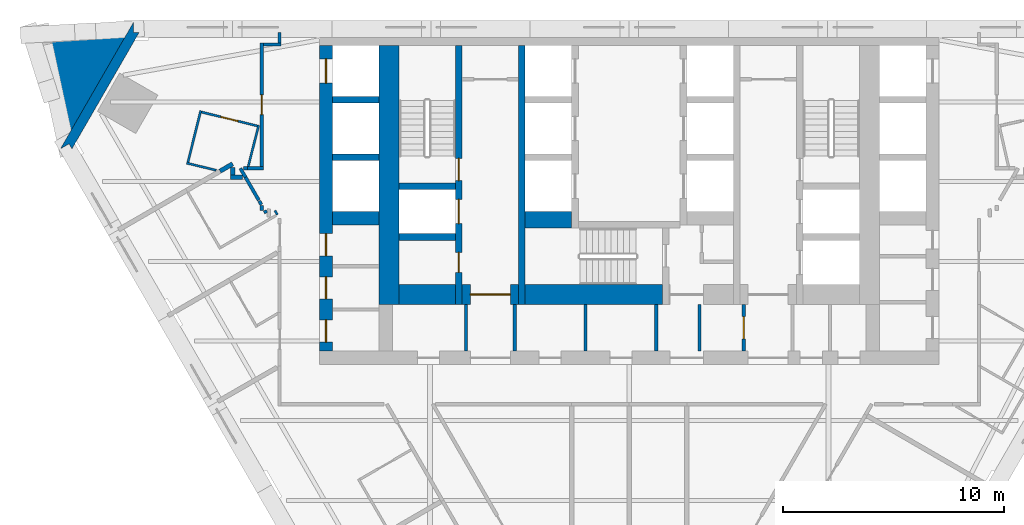
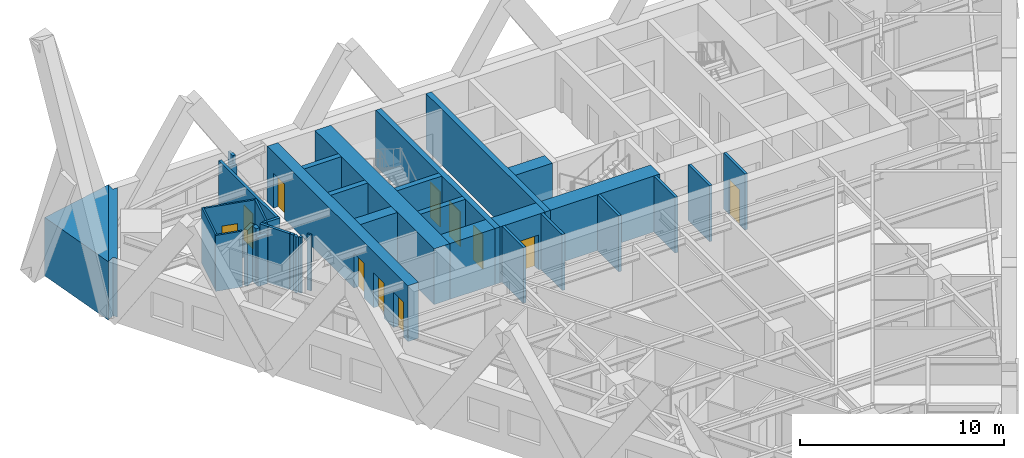
# One storey, part 6 of 11: 39 walls, 11 doors, 11 openings.
"""IFC4 building model written with IfcOpenShell, lengths in metres."""

from ifc_helpers import new_model, si_unit, direction, frame, frame_2d, origin, place, context, subcontext, project, spatial, polyline, rectangle, outline, extrude, material, layer, layer_set, type_object, element, fill, save


model = new_model("IFC4")

# Units and contexts
model_context = context("Model", 3, precision=1e-05, world=origin(), true_north=direction((0.0, 1.0)))
body_context = subcontext(model_context, "Body", "Model", "MODEL_VIEW")
ifc_project = project(units=[si_unit("LENGTHUNIT", "METRE"), si_unit("AREAUNIT", "SQUARE_METRE"), si_unit("VOLUMEUNIT", "CUBIC_METRE"), si_unit("PLANEANGLEUNIT", "RADIAN"), si_unit("MASSUNIT", "GRAM", prefix="KILO")], contexts=[model_context])

# Site, building, storey
site_placement = place(None, origin())
site = spatial("IfcSite", under=ifc_project, at=site_placement, CompositionType="ELEMENT")
building_placement = place(site_placement, origin())
building = spatial("IfcBuilding", under=site, at=building_placement, Name="Aloe Facet Convention Tower", CompositionType="ELEMENT")
storey_placement = place(building_placement, frame((0.0, 0.0, 63.0)))
storey = spatial("IfcBuildingStorey", under=building, at=storey_placement, Name="L14", CompositionType="ELEMENT", Elevation=63.0)

# Walls
ifc_material_1 = material(Name="Concrete blockwork partition", Category="masonry")
ifc_layer_1 = layer(ifc_material_1, 0.14990234375)
ifc_layer_set_1 = layer_set([ifc_layer_1], Name="CR-W-PART150")
wall_type_1 = type_object("IfcWallType", Name="CR-W-PART150", PredefinedType="PARTITIONING", material=ifc_layer_set_1)
for number, where, z_axis, x_axis, name in (
    (1, (72.625, 122.25, 0.0), (0.0, 0.0, 1.0), (0.0, -1.0, 0.0), "Core partition L14-017"),
    (2, (74.824951171875, 122.25, 0.0), (0.0, 0.0, 1.0), (0.0, -1.0, 0.0), "Core partition L14-018"),
    (3, (78.02490234375, 122.25, 0.0), (0.0, 0.0, 1.0), (0.0, -1.0, 0.0), "Core partition L14-026"),
    (4, (81.22509765625, 122.25, 0.0), (0.0, 0.0, 1.0), (0.0, -1.0, 0.0), "Core partition L14-027"),
    (5, (83.175048828125, 122.25, 0.0), (0.0, 0.0, 1.0), (0.0, -1.0, 0.0), "Core partition L14-034"),
):
    element("IfcWall", number, at=place(storey_placement, frame(where, z_axis=z_axis, x_axis=x_axis)), inside=storey, type_object=wall_type_1, Name=name, PredefinedType="PARTITIONING", context=body_context, shape_type="SweptSolid", body=[
        extrude(rectangle(XDim=2.10009765625, YDim=0.14990234375, at=frame_2d((1.050048828125, 0.0))), origin(), (0.0, 0.0, 1.0), 3.35009765625),
    ])

# Wall, opening, door
wall_1_placement = place(storey_placement, frame((85.175048828125, 122.25, 0.0), z_axis=(0.0, 0.0, 1.0), x_axis=(0.0, -1.0, 0.0)))
wall_1 = element("IfcWall", 6, at=wall_1_placement, inside=storey, type_object=wall_type_1, Name="Core partition L14-040", PredefinedType="PARTITIONING", context=body_context, shape_type="SweptSolid", body=[
    extrude(rectangle(XDim=2.10009765625, YDim=0.14990234375, at=frame_2d((1.050048828125, 0.0))), origin(), (0.0, 0.0, 1.0), 3.35009765625),
])
opening_1_placement = place(wall_1_placement, frame((0.550048828125, 0.0, 0.0)))
opening_1 = element("IfcOpeningElement", 7, at=opening_1_placement, cuts=wall_1, Name="Opening L14-CD27", PredefinedType="OPENING", context=body_context, shape_type="SweptSolid", body=[
    extrude(rectangle(XDim=1.0, YDim=2.10009765625, at=frame_2d((0.5, 1.050048828125))), frame((0.0, 0.0849609375, 0.0), z_axis=(0.0, -1.0, 0.0), x_axis=(1.0, 0.0, 0.0)), (0.0, 0.0, 1.0), 0.169921875),
])
ifc_material_2 = material(Name="Steel fire-resisting door set FD60", Category="steel")
door_type_1 = type_object("IfcDoorType", Name="CR-D-ROOM-1000-FD60-SRIGHT", OperationType="SINGLE_SWING_RIGHT", PredefinedType="DOOR", material=ifc_material_2)
door_1_placement = place(opening_1_placement, origin())
door_1 = element("IfcDoor", 8, at=door_1_placement, inside=storey, type_object=door_type_1, Name="Core door L14-CD27", OperationType="SINGLE_SWING_RIGHT", OverallHeight=2.10009765625, OverallWidth=1.0, PredefinedType="DOOR", context=body_context, shape_type="SweptSolid", body=[
    extrude(rectangle(XDim=1.0, YDim=2.10009765625, at=frame_2d((0.5, 1.050048828125))), frame((0.0, 0.02490234375, 0.0), z_axis=(0.0, -1.0, 0.0), x_axis=(1.0, 0.0, 0.0)), (0.0, 0.0, 1.0), 0.050048828125),
])
fill(opening_1, door_1)

# Walls
ifc_material_3 = material(Name="Concrete C80/95", Category="concrete")
ifc_layer_2 = layer(ifc_material_3, 0.300048828125)
ifc_layer_set_2 = layer_set([ifc_layer_2], Name="CR-W-RC300-C8095")
wall_type_2 = type_object("IfcWallType", Name="CR-W-RC300-C8095", PredefinedType="SOLIDWALL", material=ifc_layer_set_2)
for number, where, z_axis, x_axis, name in (
    (9, (66.60009765625, 131.5, 0.0), (0.0, 0.0, 1.0), (1.0, 0.0, 0.0), "Core wall L14-004"),
    (10, (66.60009765625, 128.89990234375, 0.0), (0.0, 0.0, 1.0), (1.0, 0.0, 0.0), "Core wall L14-005"),
):
    element("IfcWall", number, at=place(storey_placement, frame(where, z_axis=z_axis, x_axis=x_axis)), inside=storey, type_object=wall_type_2, Name=name, PredefinedType="SOLIDWALL", context=body_context, shape_type="SweptSolid", body=[
        extrude(rectangle(XDim=2.099853515625, YDim=0.300048828125, at=frame_2d((1.0498046875, 0.0))), origin(), (0.0, 0.0, 1.0), 3.35009765625),
    ])
for number, where, z_axis, x_axis, name in (
    (11, (69.60009765625, 127.60009765625, 0.0), (0.0, 0.0, 1.0), (1.0, 0.0, 0.0), "Core wall L14-011"),
    (12, (69.60009765625, 125.300048828125, 0.0), (0.0, 0.0, 1.0), (1.0, 0.0, 0.0), "Core wall L14-012"),
):
    element("IfcWall", number, at=place(storey_placement, frame(where, z_axis=z_axis, x_axis=x_axis)), inside=storey, type_object=wall_type_2, Name=name, PredefinedType="SOLIDWALL", context=body_context, shape_type="SweptSolid", body=[
        extrude(rectangle(XDim=2.5498046875, YDim=0.300048828125, at=frame_2d((1.27490234375, 0.0))), origin(), (0.0, 0.0, 1.0), 3.35009765625),
    ])

# Wall, openings, doors
wall_2_placement = place(storey_placement, frame((72.300048828125, 133.949951171875, 0.0), z_axis=(0.0, 0.0, 1.0), x_axis=(0.0, -1.0, 0.0)))
wall_2 = element("IfcWall", 13, at=wall_2_placement, inside=storey, type_object=wall_type_2, Name="Core wall L14-014", PredefinedType="SOLIDWALL", context=body_context, shape_type="SweptSolid", body=[
    extrude(rectangle(XDim=11.699951171875, YDim=0.300048828125, at=frame_2d((5.85009765625, 0.0))), origin(), (0.0, 0.0, 1.0), 3.35009765625),
])
opening_2_placement = place(wall_2_placement, frame((6.949951171875, 0.0, 0.0)))
opening_2 = element("IfcOpeningElement", 14, at=opening_2_placement, cuts=wall_2, Name="Opening LD-FF1-L14", PredefinedType="OPENING", context=body_context, shape_type="SweptSolid", body=[
    extrude(rectangle(XDim=1.10009765625, YDim=2.10009765625, at=frame_2d((0.550048828125, 1.050048828125))), frame((0.0, 0.16015625, 0.0), z_axis=(0.0, -1.0, 0.0), x_axis=(1.0, 0.0, 0.0)), (0.0, 0.0, 1.0), 0.320068359375),
])
opening_3_placement = place(wall_2_placement, frame((9.35009765625, 0.0, 0.0)))
opening_3 = element("IfcOpeningElement", 15, at=opening_3_placement, cuts=wall_2, Name="Opening L14-CD23", PredefinedType="OPENING", context=body_context, shape_type="SweptSolid", body=[
    extrude(rectangle(XDim=0.89990234375, YDim=2.10009765625, at=frame_2d((0.449951171875, 1.050048828125))), frame((0.0, 0.16015625, 0.0), z_axis=(0.0, -1.0, 0.0), x_axis=(1.0, 0.0, 0.0)), (0.0, 0.0, 1.0), 0.320068359375),
])
opening_4_placement = place(wall_2_placement, frame((5.10009765625, 0.0, 0.0)))
opening_4 = element("IfcOpeningElement", 16, at=opening_4_placement, cuts=wall_2, Name="Opening L14-CD30", PredefinedType="OPENING", context=body_context, shape_type="SweptSolid", body=[
    extrude(rectangle(XDim=1.0, YDim=2.10009765625, at=frame_2d((0.5, 1.050048828125))), frame((0.0, 0.16015625, 0.0), z_axis=(0.0, -1.0, 0.0), x_axis=(1.0, 0.0, 0.0)), (0.0, 0.0, 1.0), 0.320068359375),
])
ifc_material_4 = material(Name="Steel fire-resisting door set FD60", Category="steel")
door_type_2 = type_object("IfcDoorType", Name="CR-D-ROOM-900-FD60-SLEFT", OperationType="SINGLE_SWING_LEFT", PredefinedType="DOOR", material=ifc_material_4)
door_2_placement = place(opening_3_placement, origin())
door_2 = element("IfcDoor", 17, at=door_2_placement, inside=storey, type_object=door_type_2, Name="Core door L14-CD23", OperationType="SINGLE_SWING_LEFT", OverallHeight=2.10009765625, OverallWidth=0.89990234375, PredefinedType="DOOR", context=body_context, shape_type="SweptSolid", body=[
    extrude(rectangle(XDim=0.89990234375, YDim=2.10009765625, at=frame_2d((0.449951171875, 1.050048828125))), frame((0.0, 0.02490234375, 0.0), z_axis=(0.0, -1.0, 0.0), x_axis=(1.0, 0.0, 0.0)), (0.0, 0.0, 1.0), 0.050048828125),
])
fill(opening_3, door_2)
ifc_material_5 = material(Name="Steel fire-resisting door set FD120", Category="steel")
door_type_3 = type_object("IfcDoorType", Name="CR-D-STAIR-1000-FD120-SRIGHT", OperationType="SINGLE_SWING_RIGHT", PredefinedType="DOOR", material=ifc_material_5)
door_3_placement = place(opening_4_placement, origin())
door_3 = element("IfcDoor", 18, at=door_3_placement, inside=storey, type_object=door_type_3, Name="Core door L14-CD30", OperationType="SINGLE_SWING_RIGHT", OverallHeight=2.10009765625, OverallWidth=1.0, PredefinedType="DOOR", context=body_context, shape_type="SweptSolid", body=[
    extrude(rectangle(XDim=1.0, YDim=2.10009765625, at=frame_2d((0.5, 1.050048828125))), frame((0.0, 0.02490234375, 0.0), z_axis=(0.0, -1.0, 0.0), x_axis=(1.0, 0.0, 0.0)), (0.0, 0.0, 1.0), 0.050048828125),
])
fill(opening_4, door_3)
ifc_material_6 = material(Name="Stainless steel sliding landing door", Category="steel")
door_type_4 = type_object("IfcDoorType", Name="CR-LD-1100-FD120-_LEFT", OperationType="SLIDING_TO_LEFT", PredefinedType="DOOR", material=ifc_material_6)
door_4_placement = place(opening_2_placement, origin())
door_4 = element("IfcDoor", 19, at=door_4_placement, inside=storey, type_object=door_type_4, Name="Landing door FF1 L14", OperationType="SLIDING_TO_LEFT", OverallHeight=2.10009765625, OverallWidth=1.10009765625, PredefinedType="DOOR", context=body_context, shape_type="SweptSolid", body=[
    extrude(rectangle(XDim=1.10009765625, YDim=2.10009765625, at=frame_2d((0.550048828125, 1.050048828125))), frame((0.0, 0.02490234375, 0.0), z_axis=(0.0, -1.0, 0.0), x_axis=(1.0, 0.0, 0.0)), (0.0, 0.0, 1.0), 0.050048828125),
])
fill(opening_2, door_4)

# Wall
wall_3_placement = place(storey_placement, frame((75.14990234375, 133.949951171875, 0.0), z_axis=(0.0, 0.0, 1.0), x_axis=(0.0, -1.0, 0.0)))
element("IfcWall", 20, at=wall_3_placement, inside=storey, type_object=wall_type_2, Name="Core wall L14-019", PredefinedType="SOLIDWALL", context=body_context, shape_type="SweptSolid", body=[
    extrude(rectangle(XDim=11.699951171875, YDim=0.300048828125, at=frame_2d((5.85009765625, 0.0))), origin(), (0.0, 0.0, 1.0), 3.35009765625),
])

# Wall, openings, doors
ifc_material_7 = material(Name="Concrete C80/95", Category="concrete")
ifc_layer_3 = layer(ifc_material_7, 0.60009765625)
ifc_layer_set_3 = layer_set([ifc_layer_3], Name="CR-W-RC600-C8095")
wall_type_3 = type_object("IfcWallType", Name="CR-W-RC600-C8095", PredefinedType="SOLIDWALL", material=ifc_layer_set_3)
wall_4_placement = place(storey_placement, frame((66.300048828125, 133.949951171875, 0.0), z_axis=(0.0, 0.0, 1.0), x_axis=(0.0, -1.0, 0.0)))
wall_4 = element("IfcWall", 21, at=wall_4_placement, inside=storey, type_object=wall_type_3, Name="Core wall L14-002", PredefinedType="SOLIDWALL", context=body_context, shape_type="SweptSolid", body=[
    extrude(rectangle(XDim=13.800048828125, YDim=0.60009765625, at=frame_2d((6.89990234375, 0.0))), origin(), (0.0, 0.0, 1.0), 3.35009765625),
])
opening_5_placement = place(wall_4_placement, frame((0.60009765625, 0.0, 0.0)))
opening_5 = element("IfcOpeningElement", 22, at=opening_5_placement, cuts=wall_4, Name="Opening LD-A7-L14", PredefinedType="OPENING", context=body_context, shape_type="SweptSolid", body=[
    extrude(rectangle(XDim=1.10009765625, YDim=2.10009765625, at=frame_2d((0.550048828125, 1.050048828125))), frame((0.0, 0.31005859375, 0.0), z_axis=(0.0, -1.0, 0.0), x_axis=(1.0, 0.0, 0.0)), (0.0, 0.0, 1.0), 0.6201171875),
])
opening_6_placement = place(wall_4_placement, frame((12.39990234375, 0.0, 0.0)))
opening_6 = element("IfcOpeningElement", 23, at=opening_6_placement, cuts=wall_4, Name="Opening L14-CD34", PredefinedType="OPENING", context=body_context, shape_type="SweptSolid", body=[
    extrude(rectangle(XDim=1.0, YDim=2.10009765625, at=frame_2d((0.5, 1.050048828125))), frame((0.0, 0.31005859375, 0.0), z_axis=(0.0, -1.0, 0.0), x_axis=(1.0, 0.0, 0.0)), (0.0, 0.0, 1.0), 0.6201171875),
])
opening_7_placement = place(wall_4_placement, frame((8.5, 0.0, 0.0)))
opening_7 = element("IfcOpeningElement", 24, at=opening_7_placement, cuts=wall_4, Name="Opening L14-CD35", PredefinedType="OPENING", context=body_context, shape_type="SweptSolid", body=[
    extrude(rectangle(XDim=1.0, YDim=2.10009765625, at=frame_2d((0.5, 1.050048828125))), frame((0.0, 0.31005859375, 0.0), z_axis=(0.0, -1.0, 0.0), x_axis=(1.0, 0.0, 0.0)), (0.0, 0.0, 1.0), 0.6201171875),
])
opening_8_placement = place(wall_4_placement, frame((10.449951171875, 0.0, 0.0)))
opening_8 = element("IfcOpeningElement", 25, at=opening_8_placement, cuts=wall_4, Name="Opening L14-CD36", PredefinedType="OPENING", context=body_context, shape_type="SweptSolid", body=[
    extrude(rectangle(XDim=1.0, YDim=2.10009765625, at=frame_2d((0.5, 1.050048828125))), frame((0.0, 0.31005859375, 0.0), z_axis=(0.0, -1.0, 0.0), x_axis=(1.0, 0.0, 0.0)), (0.0, 0.0, 1.0), 0.6201171875),
])
ifc_material_8 = material(Name="Steel fire-resisting door set FD60", Category="steel")
door_type_5 = type_object("IfcDoorType", Name="CR-D-ROOM-1000-FD60-SLEFT", OperationType="SINGLE_SWING_LEFT", PredefinedType="DOOR", material=ifc_material_8)
door_5_placement = place(opening_6_placement, origin())
door_5 = element("IfcDoor", 26, at=door_5_placement, inside=storey, type_object=door_type_5, Name="Core door L14-CD34", OperationType="SINGLE_SWING_LEFT", OverallHeight=2.10009765625, OverallWidth=1.0, PredefinedType="DOOR", context=body_context, shape_type="SweptSolid", body=[
    extrude(rectangle(XDim=1.0, YDim=2.10009765625, at=frame_2d((0.5, 1.050048828125))), frame((0.0, 0.02490234375, 0.0), z_axis=(0.0, -1.0, 0.0), x_axis=(1.0, 0.0, 0.0)), (0.0, 0.0, 1.0), 0.050048828125),
])
fill(opening_6, door_5)
door_6_placement = place(opening_7_placement, origin())
door_6 = element("IfcDoor", 27, at=door_6_placement, inside=storey, type_object=door_type_5, Name="Core door L14-CD35", OperationType="SINGLE_SWING_LEFT", OverallHeight=2.10009765625, OverallWidth=1.0, PredefinedType="DOOR", context=body_context, shape_type="SweptSolid", body=[
    extrude(rectangle(XDim=1.0, YDim=2.10009765625, at=frame_2d((0.5, 1.050048828125))), frame((0.0, 0.02490234375, 0.0), z_axis=(0.0, -1.0, 0.0), x_axis=(1.0, 0.0, 0.0)), (0.0, 0.0, 1.0), 0.050048828125),
])
fill(opening_7, door_6)
door_7_placement = place(opening_8_placement, origin())
door_7 = element("IfcDoor", 28, at=door_7_placement, inside=storey, type_object=door_type_5, Name="Core door L14-CD36", OperationType="SINGLE_SWING_LEFT", OverallHeight=2.10009765625, OverallWidth=1.0, PredefinedType="DOOR", context=body_context, shape_type="SweptSolid", body=[
    extrude(rectangle(XDim=1.0, YDim=2.10009765625, at=frame_2d((0.5, 1.050048828125))), frame((0.0, 0.02490234375, 0.0), z_axis=(0.0, -1.0, 0.0), x_axis=(1.0, 0.0, 0.0)), (0.0, 0.0, 1.0), 0.050048828125),
])
fill(opening_8, door_7)
ifc_material_9 = material(Name="Stainless steel sliding landing door", Category="steel")
door_type_6 = type_object("IfcDoorType", Name="CR-LD-1100-FD60-_LEFT", OperationType="SLIDING_TO_LEFT", PredefinedType="DOOR", material=ifc_material_9)
door_8_placement = place(opening_5_placement, origin())
door_8 = element("IfcDoor", 29, at=door_8_placement, inside=storey, type_object=door_type_6, Name="Landing door A7 L14", OperationType="SLIDING_TO_LEFT", OverallHeight=2.10009765625, OverallWidth=1.10009765625, PredefinedType="DOOR", context=body_context, shape_type="SweptSolid", body=[
    extrude(rectangle(XDim=1.10009765625, YDim=2.10009765625, at=frame_2d((0.550048828125, 1.050048828125))), frame((0.0, 0.02490234375, 0.0), z_axis=(0.0, -1.0, 0.0), x_axis=(1.0, 0.0, 0.0)), (0.0, 0.0, 1.0), 0.050048828125),
])
fill(opening_5, door_8)

# Walls
wall_5_placement = place(storey_placement, frame((66.60009765625, 126.14990234375, 0.0), z_axis=(0.0, 0.0, 1.0), x_axis=(1.0, 0.0, 0.0)))
element("IfcWall", 30, at=wall_5_placement, inside=storey, type_object=wall_type_3, Name="Core wall L14-006", PredefinedType="SOLIDWALL", context=body_context, shape_type="SweptSolid", body=[
    extrude(rectangle(XDim=2.099853515625, YDim=0.60009765625, at=frame_2d((1.0498046875, 0.0))), origin(), (0.0, 0.0, 1.0), 3.35009765625),
])
ifc_material_10 = material(Name="Concrete C80/95", Category="concrete")
ifc_layer_4 = layer(ifc_material_10, 0.75)
ifc_layer_set_4 = layer_set([ifc_layer_4], Name="CR-W-RC750-C8095")
wall_type_4 = type_object("IfcWallType", Name="CR-W-RC750-C8095", PredefinedType="SOLIDWALL", material=ifc_layer_set_4)
wall_6_placement = place(storey_placement, frame((75.300048828125, 126.074951171875, 0.0), z_axis=(0.0, 0.0, 1.0), x_axis=(1.0, 0.0, 0.0)))
element("IfcWall", 31, at=wall_6_placement, inside=storey, type_object=wall_type_4, Name="Core wall L14-022", PredefinedType="SOLIDWALL", context=body_context, shape_type="SweptSolid", body=[
    extrude(rectangle(XDim=2.099853515625, YDim=0.75, at=frame_2d((1.0498046875, 0.0))), origin(), (0.0, 0.0, 1.0), 3.35009765625),
])
ifc_material_11 = material(Name="Concrete C80/95", Category="concrete")
ifc_layer_5 = layer(ifc_material_11, 0.89990234375)
ifc_layer_set_5 = layer_set([ifc_layer_5], Name="CR-W-RC900-C8095")
wall_type_5 = type_object("IfcWallType", Name="CR-W-RC900-C8095", PredefinedType="SOLIDWALL", material=ifc_layer_set_5)
wall_7_placement = place(storey_placement, frame((69.14990234375, 133.949951171875, 0.0), z_axis=(0.0, 0.0, 1.0), x_axis=(0.0, -1.0, 0.0)))
element("IfcWall", 32, at=wall_7_placement, inside=storey, type_object=wall_type_5, Name="Core wall L14-009", PredefinedType="SOLIDWALL", context=body_context, shape_type="SweptSolid", body=[
    extrude(rectangle(XDim=11.699951171875, YDim=0.89990234375, at=frame_2d((5.85009765625, 0.0))), origin(), (0.0, 0.0, 1.0), 3.35009765625),
])
wall_8_placement = place(storey_placement, frame((69.60009765625, 122.699951171875, 0.0), z_axis=(0.0, 0.0, 1.0), x_axis=(1.0, 0.0, 0.0)))
element("IfcWall", 33, at=wall_8_placement, inside=storey, type_object=wall_type_5, Name="Core wall L14-013", PredefinedType="SOLIDWALL", context=body_context, shape_type="SweptSolid", body=[
    extrude(rectangle(XDim=2.5498046875, YDim=0.89990234375, at=frame_2d((1.27490234375, 0.0))), origin(), (0.0, 0.0, 1.0), 3.35009765625),
])

# Wall, opening, door
wall_9_placement = place(storey_placement, frame((72.449951171875, 122.699951171875, 0.0), z_axis=(0.0, 0.0, 1.0), x_axis=(1.0, 0.0, 0.0)))
wall_9 = element("IfcWall", 34, at=wall_9_placement, inside=storey, type_object=wall_type_5, Name="Core wall L14-016", PredefinedType="SOLIDWALL", context=body_context, shape_type="SweptSolid", body=[
    extrude(rectangle(XDim=2.550048828125, YDim=0.89990234375, at=frame_2d((1.27490234375, 0.0))), origin(), (0.0, 0.0, 1.0), 3.35009765625),
])
opening_9_placement = place(wall_9_placement, frame((0.375, 0.0, 0.0)))
opening_9 = element("IfcOpeningElement", 35, at=opening_9_placement, cuts=wall_9, Name="Opening L14-CD15", PredefinedType="OPENING", context=body_context, shape_type="SweptSolid", body=[
    extrude(rectangle(XDim=1.800048828125, YDim=2.10009765625, at=frame_2d((0.89990234375, 1.050048828125))), frame((0.0, 0.4599609375, 0.0), z_axis=(0.0, -1.0, 0.0), x_axis=(1.0, 0.0, 0.0)), (0.0, 0.0, 1.0), 0.919921875),
])
ifc_material_12 = material(Name="Steel fire-resisting door set FD120", Category="steel")
door_type_7 = type_object("IfcDoorType", Name="CR-D-EXIT-1800-FD120-DD", OperationType="DOUBLE_DOOR_DOUBLE_SWING", PredefinedType="DOOR", material=ifc_material_12)
door_9_placement = place(opening_9_placement, origin())
door_9 = element("IfcDoor", 36, at=door_9_placement, inside=storey, type_object=door_type_7, Name="Core door L14-CD15", OperationType="DOUBLE_DOOR_DOUBLE_SWING", OverallHeight=2.10009765625, OverallWidth=1.800048828125, PredefinedType="DOOR", context=body_context, shape_type="SweptSolid", body=[
    extrude(rectangle(XDim=1.800048828125, YDim=2.10009765625, at=frame_2d((0.89990234375, 1.050048828125))), frame((0.0, 0.02490234375, 0.0), z_axis=(0.0, -1.0, 0.0), x_axis=(1.0, 0.0, 0.0)), (0.0, 0.0, 1.0), 0.050048828125),
])
fill(opening_9, door_9)

# Walls
wall_10_placement = place(storey_placement, frame((75.300048828125, 122.699951171875, 0.0), z_axis=(0.0, 0.0, 1.0), x_axis=(1.0, 0.0, 0.0)))
element("IfcWall", 37, at=wall_10_placement, inside=storey, type_object=wall_type_5, Name="Core wall L14-023", PredefinedType="SOLIDWALL", context=body_context, shape_type="SweptSolid", body=[
    extrude(rectangle(XDim=6.199951171875, YDim=0.89990234375, at=frame_2d((3.10009765625, 0.0))), origin(), (0.0, 0.0, 1.0), 3.35009765625),
])
ifc_material_13 = material(Name="Precast concrete C40/50", Category="concrete")
ifc_layer_6 = layer(ifc_material_13, 0.449951171875)
ifc_layer_set_6 = layer_set([ifc_layer_6], Name="EV-WALL-PIER")
wall_type_6 = type_object("IfcWallType", Name="EV-WALL-PIER", PredefinedType="SOLIDWALL", material=ifc_layer_set_6)
wall_11_placement = place(storey_placement, frame((0.0, 0.0, -0.14990234375)))
element("IfcWall", 38, at=wall_11_placement, inside=storey, type_object=wall_type_6, Name="EP-L14-A", PredefinedType="SOLIDWALL", context=body_context, shape_type="SweptSolid", body=[
    extrude(outline(polyline([(57.60009765625, 135.0), (57.60009765625, 134.550048828125), (57.85986328125, 134.550048828125), (54.819580078125, 129.2841796875), (54.689697265625, 129.50927734375), (54.300048828125, 129.2841796875), (57.60009765625, 135.0)])), origin(), (0.0, 0.0, 1.0), 3.5),
])
ifc_material_14 = material(Name="Precast concrete C40/50", Category="concrete")
ifc_layer_7 = layer(ifc_material_14, 3.947998046875)
ifc_layer_set_7 = layer_set([ifc_layer_7], Name="EV-WALL-SPINE")
wall_type_7 = type_object("IfcWallType", Name="EV-WALL-SPINE", PredefinedType="SOLIDWALL", material=ifc_layer_set_7)
wall_12_placement = place(storey_placement, frame((0.0, 0.0, -0.14990234375)))
element("IfcWall", 39, at=wall_12_placement, inside=storey, type_object=wall_type_7, Name="SP-NW-L14", PredefinedType="SOLIDWALL", context=body_context, shape_type="SweptSolid", body=[
    extrude(outline(polyline([(57.60009765625, 135.0), (53.49267578125, 134.130859375), (54.300048828125, 129.2841796875), (57.60009765625, 135.0)])), origin(), (0.0, 0.0, 1.0), 3.5),
])
ifc_material_15 = material(Name="Gypsum board partition on steel studs", Category="steel")
ifc_layer_8 = layer(ifc_material_15, 0.14990234375)
ifc_layer_set_8 = layer_set([ifc_layer_8], Name="IN-W-CORR")
wall_type_8 = type_object("IfcWallType", Name="IN-W-CORR", PredefinedType="PARTITIONING", material=ifc_layer_set_8)
wall_13_placement = place(storey_placement, frame((63.39990234375, 126.5, 0.0), z_axis=(0.0, 0.0, 1.0), x_axis=(0.0, 1.0, 0.0)))
element("IfcWall", 40, at=wall_13_placement, inside=storey, type_object=wall_type_8, Name="Partition L14-W105", PredefinedType="PARTITIONING", context=body_context, shape_type="SweptSolid", body=[
    extrude(rectangle(XDim=0.220458984375, YDim=0.14990234375, at=frame_2d((0.1103515625, 0.0))), origin(), (0.0, 0.0, 1.0), 3.35009765625),
])
wall_14_placement = place(storey_placement, frame((62.661376953125, 128.0, 0.0), z_axis=(0.0, 0.0, 1.0), x_axis=(0.499910707084, -0.866076950936, 0.0)))
element("IfcWall", 41, at=wall_14_placement, inside=storey, type_object=wall_type_8, Name="Partition L14-W109", PredefinedType="PARTITIONING", context=body_context, shape_type="SweptSolid", body=[
    extrude(rectangle(XDim=1.197509765625, YDim=0.14990234375, at=frame_2d((0.5986328125, 0.0))), origin(), (0.0, 0.0, 1.0), 3.35009765625),
])
wall_15_placement = place(storey_placement, frame((62.762451171875, 128.39990234375, 0.0), z_axis=(0.0, 0.0, 1.0), x_axis=(1.0, 0.0, 0.0)))
element("IfcWall", 42, at=wall_15_placement, inside=storey, type_object=wall_type_8, Name="Partition L14-W117", PredefinedType="PARTITIONING", context=body_context, shape_type="SweptSolid", body=[
    extrude(rectangle(XDim=0.712646484375, YDim=0.14990234375, at=frame_2d((0.3564453125, 0.0))), origin(), (0.0, 0.0, 1.0), 3.35009765625),
])

# Wall, opening, door
wall_16_placement = place(storey_placement, frame((63.39990234375, 128.47509765625, 0.0), z_axis=(0.0, 0.0, 1.0), x_axis=(0.0, 1.0, 0.0)))
wall_16 = element("IfcWall", 43, at=wall_16_placement, inside=storey, type_object=wall_type_8, Name="Partition L14-W118", PredefinedType="PARTITIONING", context=body_context, shape_type="SweptSolid", body=[
    extrude(rectangle(XDim=5.599365234375, YDim=0.14990234375, at=frame_2d((2.7998046875, 0.0))), origin(), (0.0, 0.0, 1.0), 3.35009765625),
])
opening_10_placement = place(wall_16_placement, frame((2.349853515625, 0.0, 0.0)))
opening_10 = element("IfcOpeningElement", 44, at=opening_10_placement, cuts=wall_16, Name="Opening L14-002", PredefinedType="OPENING", context=body_context, shape_type="SweptSolid", body=[
    extrude(rectangle(XDim=0.89990234375, YDim=2.10009765625, at=frame_2d((0.449951171875, 1.050048828125))), frame((0.0, 0.0849609375, 0.0), z_axis=(0.0, -1.0, 0.0), x_axis=(1.0, 0.0, 0.0)), (0.0, 0.0, 1.0), 0.169921875),
])
ifc_material_16 = material(Name="Hardwood flush door FD30S", Category="wood")
door_type_8 = type_object("IfcDoorType", Name="IN-D-GUEST", OperationType="SINGLE_SWING_LEFT", PredefinedType="DOOR", material=ifc_material_16)
door_10_placement = place(opening_10_placement, origin())
door_10 = element("IfcDoor", 45, at=door_10_placement, inside=storey, type_object=door_type_8, Name="Door L14-002", OperationType="SINGLE_SWING_LEFT", OverallHeight=2.10009765625, OverallWidth=0.89990234375, PredefinedType="DOOR", context=body_context, shape_type="SweptSolid", body=[
    extrude(rectangle(XDim=0.89990234375, YDim=2.10009765625, at=frame_2d((0.449951171875, 1.050048828125))), frame((0.0, 0.02490234375, 0.0), z_axis=(0.0, -1.0, 0.0), x_axis=(1.0, 0.0, 0.0)), (0.0, 0.0, 1.0), 0.050048828125),
])
fill(opening_10, door_10)

# Walls
wall_17_placement = place(storey_placement, frame((62.4296875, 128.40087890625, 0.0), z_axis=(0.0, 0.0, 1.0), x_axis=(0.500391795928, -0.865799082101, 0.0)))
element("IfcWall", 46, at=wall_17_placement, inside=storey, type_object=wall_type_8, Name="Partition L14-W120", PredefinedType="PARTITIONING", context=body_context, shape_type="SweptSolid", body=[
    extrude(rectangle(XDim=0.463134765625, YDim=0.14990234375, at=frame_2d((0.2314453125, 0.0))), origin(), (0.0, 0.0, 1.0), 3.35009765625),
])
wall_18_placement = place(storey_placement, frame((62.56005859375, 128.400634765625, 0.0), z_axis=(0.0, 0.0, 1.0), x_axis=(0.999993452143, -0.003618794157, 0.0)))
element("IfcWall", 47, at=wall_18_placement, inside=storey, type_object=wall_type_8, Name="Partition L14-W121", PredefinedType="PARTITIONING", context=body_context, shape_type="SweptSolid", body=[
    extrude(rectangle(XDim=0.202392578125, YDim=0.14990234375, at=frame_2d((0.10107421875, 0.0))), origin(), (0.0, 0.0, 1.0), 3.35009765625),
])
wall_19_placement = place(storey_placement, frame((63.47509765625, 133.99951171875, 0.0), z_axis=(0.0, 0.0, 1.0), x_axis=(0.999999813645, 0.000610500497, 0.0)))
element("IfcWall", 48, at=wall_19_placement, inside=storey, type_object=wall_type_8, Name="Partition L14-W133", PredefinedType="PARTITIONING", context=body_context, shape_type="SweptSolid", body=[
    extrude(rectangle(XDim=0.7998046875, YDim=0.14990234375, at=frame_2d((0.39990234375, 0.0))), origin(), (0.0, 0.0, 1.0), 2.88671875),
])
wall_20_placement = place(storey_placement, frame((64.199951171875, 134.074951171875, 0.0), z_axis=(0.0, 0.0, 1.0), x_axis=(0.0, 1.0, 0.0)))
element("IfcWall", 49, at=wall_20_placement, inside=storey, type_object=wall_type_8, Name="Partition L14-W134", PredefinedType="PARTITIONING", context=body_context, shape_type="SweptSolid", body=[
    extrude(rectangle(XDim=0.465087890625, YDim=0.14990234375, at=frame_2d((0.232421875, 0.0))), origin(), (0.0, 0.0, 1.0), 3.35009765625),
])
wall_21_placement = place(storey_placement, frame((63.280029296875, 126.92822265625, 0.0), z_axis=(0.0, 0.0, 1.0), x_axis=(0.500340588408, -0.865828675658, 0.0)))
element("IfcWall", 50, at=wall_21_placement, inside=storey, type_object=wall_type_8, Name="Partition L14-W139", PredefinedType="PARTITIONING", context=body_context, shape_type="SweptSolid", body=[
    extrude(rectangle(XDim=0.193603515625, YDim=0.14990234375, at=frame_2d((0.0966796875, 0.0))), origin(), (0.0, 0.0, 1.0), 3.35009765625),
])
wall_22_placement = place(storey_placement, frame((63.52734375, 126.5, 0.0), z_axis=(0.0, 0.0, 1.0), x_axis=(0.499925626596, -0.866068339032, 0.0)))
element("IfcWall", 51, at=wall_22_placement, inside=storey, type_object=wall_type_8, Name="Partition L14-W140", PredefinedType="PARTITIONING", context=body_context, shape_type="SweptSolid", body=[
    extrude(rectangle(XDim=0.138671875, YDim=0.14990234375, at=frame_2d((0.0693359375, 0.0))), origin(), (0.0, 0.0, 1.0), 3.35009765625),
])
ifc_material_17 = material(Name="Gypsum board partition on steel studs", Category="steel")
ifc_layer_9 = layer(ifc_material_17, 0.10009765625)
ifc_layer_set_9 = layer_set([ifc_layer_9], Name="IN-W-PART")
wall_type_9 = type_object("IfcWallType", Name="IN-W-PART", PredefinedType="PARTITIONING", material=ifc_layer_set_9)
wall_23_placement = place(storey_placement, frame((59.99853515625, 128.6396484375, 0.0), z_axis=(0.0, 0.0, 1.0), x_axis=(0.971982983632, -0.235051227457, 0.0)))
element("IfcWall", 52, at=wall_23_placement, inside=storey, type_object=wall_type_9, Name="Partition L14-W115", PredefinedType="PARTITIONING", context=body_context, shape_type="SweptSolid", body=[
    extrude(rectangle(XDim=1.375244140625, YDim=0.10009765625, at=frame_2d((0.6875, 0.0))), origin(), (0.0, 0.0, 1.0), 3.35009765625),
])
wall_24_placement = place(storey_placement, frame((60.05908203125, 128.67626953125, 0.0), z_axis=(0.0, 0.0, 1.0), x_axis=(0.24148238487, 0.970405202891, 0.0)))
element("IfcWall", 53, at=wall_24_placement, inside=storey, type_object=wall_type_9, Name="Partition L14-W127", PredefinedType="PARTITIONING", context=body_context, shape_type="SweptSolid", body=[
    extrude(rectangle(XDim=2.400146484375, YDim=0.10009765625, at=frame_2d((1.2001953125, 0.0))), origin(), (0.0, 0.0, 1.0), 3.35009765625),
])
wall_25_placement = place(storey_placement, frame((62.78076171875, 128.47265625, 0.0), z_axis=(0.0, 0.0, 1.0), x_axis=(0.246470885885, 0.969150196002, 0.0)))
element("IfcWall", 54, at=wall_25_placement, inside=storey, type_object=wall_type_9, Name="Partition L14-W128", PredefinedType="PARTITIONING", context=body_context, shape_type="SweptSolid", body=[
    extrude(rectangle(XDim=1.9404296875, YDim=0.10009765625, at=frame_2d((0.97021484375, 0.0))), origin(), (0.0, 0.0, 1.0), 3.35009765625),
])

# Wall, opening, door
wall_26_placement = place(storey_placement, frame((60.675048828125, 130.94482421875, 0.0), z_axis=(0.0, 0.0, 1.0), x_axis=(0.970401535632, -0.241497121398, 0.0)))
wall_26 = element("IfcWall", 55, at=wall_26_placement, inside=storey, type_object=wall_type_9, Name="Partition L14-W131", PredefinedType="PARTITIONING", context=body_context, shape_type="SweptSolid", body=[
    extrude(rectangle(XDim=2.60009765625, YDim=0.10009765625, at=frame_2d((1.300048828125, 0.0))), origin(), (0.0, 0.0, 1.0), 3.35009765625),
])
opening_11_placement = place(wall_26_placement, frame((0.89990234375, 0.0, 0.0)))
opening_11 = element("IfcOpeningElement", 56, at=opening_11_placement, cuts=wall_26, Name="Opening L14-019", PredefinedType="OPENING", context=body_context, shape_type="SweptSolid", body=[
    extrude(rectangle(XDim=0.800048828125, YDim=2.10009765625, at=frame_2d((0.39990234375, 1.050048828125))), frame((0.0, 0.06005859375, 0.0), z_axis=(0.0, -1.0, 0.0), x_axis=(1.0, 0.0, 0.0)), (0.0, 0.0, 1.0), 0.1201171875),
])
ifc_material_18 = material(Name="Timber flush door", Category="wood")
door_type_9 = type_object("IfcDoorType", Name="IN-D-BATH", OperationType="SINGLE_SWING_LEFT", PredefinedType="DOOR", material=ifc_material_18)
door_11_placement = place(opening_11_placement, origin())
door_11 = element("IfcDoor", 57, at=door_11_placement, inside=storey, type_object=door_type_9, Name="Door L14-019", OperationType="SINGLE_SWING_LEFT", OverallHeight=2.10009765625, OverallWidth=0.800048828125, PredefinedType="DOOR", context=body_context, shape_type="SweptSolid", body=[
    extrude(rectangle(XDim=0.800048828125, YDim=2.10009765625, at=frame_2d((0.39990234375, 1.050048828125))), frame((0.0, 0.02490234375, 0.0), z_axis=(0.0, -1.0, 0.0), x_axis=(1.0, 0.0, 0.0)), (0.0, 0.0, 1.0), 0.050048828125),
])
fill(opening_11, door_11)

# Walls
wall_27_placement = place(storey_placement, frame((63.990478515625, 126.5, 0.0), z_axis=(0.0, 0.0, 1.0), x_axis=(0.500132045864, -0.865949153646, 0.0)))
element("IfcWall", 58, at=wall_27_placement, inside=storey, type_object=wall_type_9, Name="Partition L14-W138", PredefinedType="PARTITIONING", context=body_context, shape_type="SweptSolid", body=[
    extrude(rectangle(XDim=0.2236328125, YDim=0.10009765625, at=frame_2d((0.11181640625, 0.0))), origin(), (0.0, 0.0, 1.0), 3.35009765625),
])
ifc_material_19 = material(Name="Gypsum board partition on steel studs", Category="steel")
ifc_layer_10 = layer(ifc_material_19, 0.199951171875)
ifc_layer_set_10 = layer_set([ifc_layer_10], Name="IN-W-PARTY")
wall_type_10 = type_object("IfcWallType", Name="IN-W-PARTY", PredefinedType="PARTITIONING", material=ifc_layer_set_10)
wall_28_placement = place(storey_placement, frame((61.97998046875, 128.0, 0.0), z_axis=(0.0, 0.0, 1.0), x_axis=(1.0, 0.0, 0.0)))
element("IfcWall", 59, at=wall_28_placement, inside=storey, type_object=wall_type_10, Name="Partition L14-W108", PredefinedType="PARTITIONING", context=body_context, shape_type="SweptSolid", body=[
    extrude(rectangle(XDim=0.556396484375, YDim=0.199951171875, at=frame_2d((0.2783203125, 0.0))), origin(), (0.0, 0.0, 1.0), 2.9375),
])
wall_29_placement = place(storey_placement, frame((61.51025390625, 128.27392578125, 0.0), z_axis=(0.0, 0.0, 1.0), x_axis=(0.865950774653, 0.500129239174, 0.0)))
element("IfcWall", 60, at=wall_29_placement, inside=storey, type_object=wall_type_10, Name="Partition L14-W113", PredefinedType="PARTITIONING", context=body_context, shape_type="SweptSolid", body=[
    extrude(rectangle(XDim=0.657958984375, YDim=0.199951171875, at=frame_2d((0.3291015625, 0.0))), origin(), (0.0, 0.0, 1.0), 3.35009765625),
])
wall_30_placement = place(storey_placement, frame((62.080078125, 128.10009765625, 0.0), z_axis=(0.0, 0.0, 1.0), x_axis=(0.0, 1.0, 0.0)))
element("IfcWall", 61, at=wall_30_placement, inside=storey, type_object=wall_type_10, Name="Partition L14-W126", PredefinedType="PARTITIONING", context=body_context, shape_type="SweptSolid", body=[
    extrude(rectangle(XDim=0.32958984375, YDim=0.199951171875, at=frame_2d((0.164794921875, 0.0))), origin(), (0.0, 0.0, 1.0), 3.35009765625),
])

save(model, "model.ifc")
